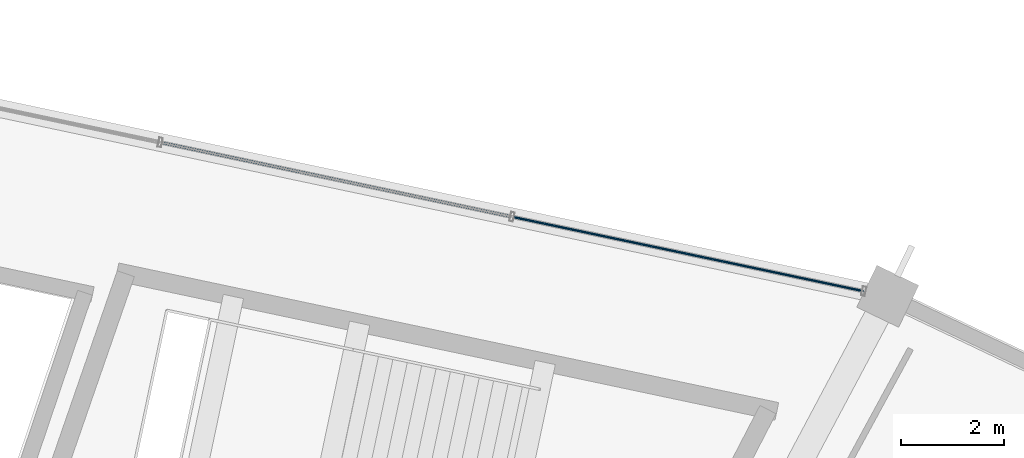
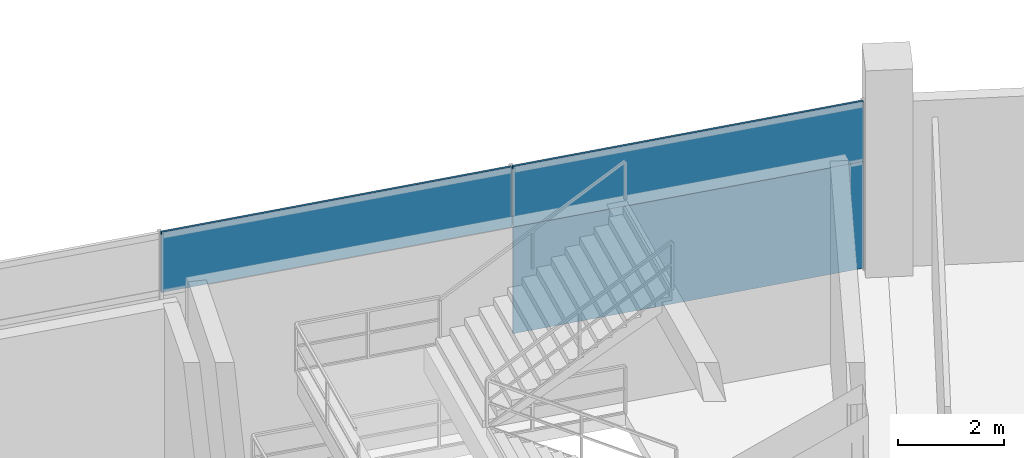
# One storey, part 100 of 156: 3 plates, 1 element without a shape of its own.
"""IFC4 building model written with IfcOpenShell, lengths in metres."""

from ifc_helpers import new_model, si_unit, direction, frame, origin, origin_2d, place, context, subcontext, project, spatial, rectangle, extrude, material, layer, layer_set, type_object, element, aggregate, save


model = new_model("IFC4")

# Units and contexts
model_context = context("Model", 3, precision=1e-05, world=origin(), true_north=direction((0.0, 1.0)))
body_context = subcontext(model_context, "Body", "Model", "MODEL_VIEW")
ifc_project = project(units=[si_unit("LENGTHUNIT", "METRE"), si_unit("AREAUNIT", "SQUARE_METRE"), si_unit("VOLUMEUNIT", "CUBIC_METRE"), si_unit("PLANEANGLEUNIT", "RADIAN"), si_unit("MASSUNIT", "GRAM", prefix="KILO")], contexts=[model_context])

# Site, building, storey
site_placement = place(None, origin())
site = spatial("IfcSite", under=ifc_project, at=site_placement, CompositionType="ELEMENT")
building_placement = place(site_placement, origin())
building = spatial("IfcBuilding", under=site, at=building_placement, Name="Kazemori Nagisa Stadium", CompositionType="ELEMENT")
storey_placement = place(building_placement, frame((0.0, 0.0, 5.780029296875)))
storey = spatial("IfcBuildingStorey", under=building, at=storey_placement, Name="L01", CompositionType="ELEMENT", Elevation=5.780029296875)

# Curtain wall, plates
ifc_material_1 = material(Name="Anodised aluminium 6063-T5", Category="aluminium")
ifc_layer_1 = layer(ifc_material_1, 0.179931640625, Name="Anodised aluminium 6063-T5", Category="aluminium")
ifc_layer_set_1 = layer_set([ifc_layer_1], Name="Anodised aluminium 6063-T5")
curtain_wall_type = type_object("IfcCurtainWallType", Name="CW_L01R3_105", PredefinedType="USERDEFINED", material=ifc_layer_set_1)
curtain_wall_placement = place(storey_placement, origin())
curtain_wall = element("IfcCurtainWall", 1, at=curtain_wall_placement, inside=storey, type_object=curtain_wall_type, Name="Unitised curtain wall CW-L01R3-105 L01", ObjectType="UNITISED CURTAIN WALL", PredefinedType="USERDEFINED")
ifc_material_2 = material(Name="Anodised aluminium spandrel sheet", Category="aluminium")
ifc_layer_2 = layer(ifc_material_2, 0.0458984375, Name="Anodised aluminium spandrel sheet", Category="aluminium")
ifc_layer_set_2 = layer_set([ifc_layer_2], Name="Anodised aluminium spandrel sheet")
plate_type_1 = type_object("IfcPlateType", Name="CWPanel_SPN_L01R3_105", PredefinedType="CURTAIN_PANEL", material=ifc_layer_set_2)
plate_1_placement = place(storey_placement, frame((161.93212890625, 183.283447265625, 2.4638671875), z_axis=(0.0, 0.0, 1.0), x_axis=(-0.978344955407, 0.206981033502, 0.0)))
plate_1 = element("IfcPlate", 2, at=plate_1_placement, type_object=plate_type_1, Name="Curtain wall spandrel panel CW-L01R3-105-S1", PredefinedType="CURTAIN_PANEL", context=body_context, shape_type="SweptSolid", body=[
    extrude(rectangle(XDim=6.942626953125, YDim=0.0458984375, at=origin_2d()), origin(), (0.0, 0.0, 1.0), 1.385986328125),
])
plate_2_placement = place(storey_placement, frame((155.1162109375, 184.7255859375, 2.4638671875), z_axis=(0.0, 0.0, 1.0), x_axis=(-0.978344955407, 0.206981033502, 0.0)))
plate_2 = element("IfcPlate", 3, at=plate_2_placement, type_object=plate_type_1, Name="Curtain wall spandrel panel CW-L01R3-105-S2", PredefinedType="CURTAIN_PANEL", context=body_context, shape_type="SweptSolid", body=[
    extrude(rectangle(XDim=6.942626953125, YDim=0.0458984375, at=origin_2d()), origin(), (0.0, 0.0, 1.0), 1.385986328125),
])
ifc_material_3 = material(Name="Low-e laminated double glazing", Category="glass")
ifc_layer_3 = layer(ifc_material_3, 0.028076171875, Name="Low-e laminated double glazing", Category="glass")
ifc_layer_set_3 = layer_set([ifc_layer_3], Name="Low-e laminated double glazing")
plate_type_2 = type_object("IfcPlateType", Name="CWPanel_VIS_L01R3_105", PredefinedType="CURTAIN_PANEL", material=ifc_layer_set_3)
plate_3_placement = place(storey_placement, frame((161.93212890625, 183.283447265625, 0.0), z_axis=(0.0, 0.0, 1.0), x_axis=(-0.978344955407, 0.206981033502, 0.0)))
plate_3 = element("IfcPlate", 4, at=plate_3_placement, type_object=plate_type_2, Name="Curtain wall vision panel CW-L01R3-105-V1", PredefinedType="CURTAIN_PANEL", context=body_context, shape_type="SweptSolid", body=[
    extrude(rectangle(XDim=6.942626953125, YDim=0.028076171875, at=origin_2d()), origin(), (0.0, 0.0, 1.0), 2.464111328125),
])
aggregate(curtain_wall, [plate_3, plate_1, plate_2])

save(model, "model.ifc")
